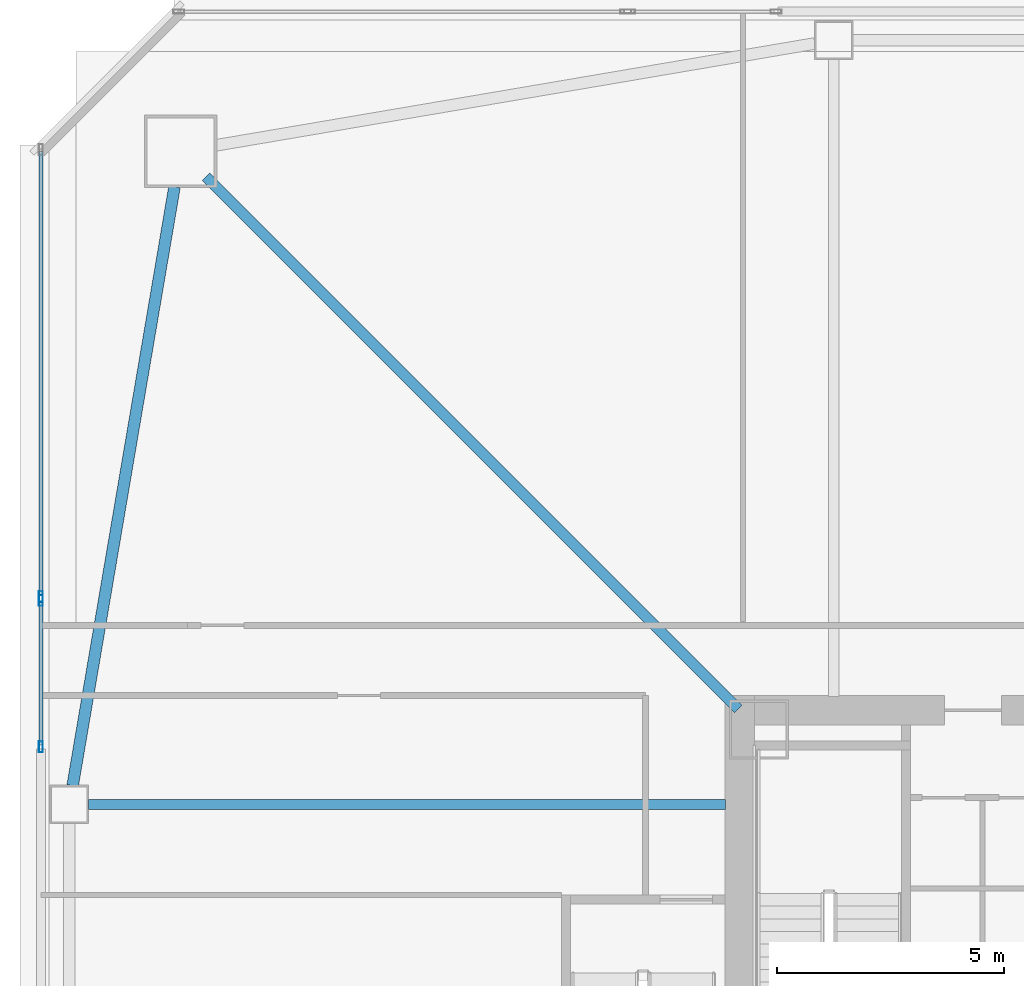
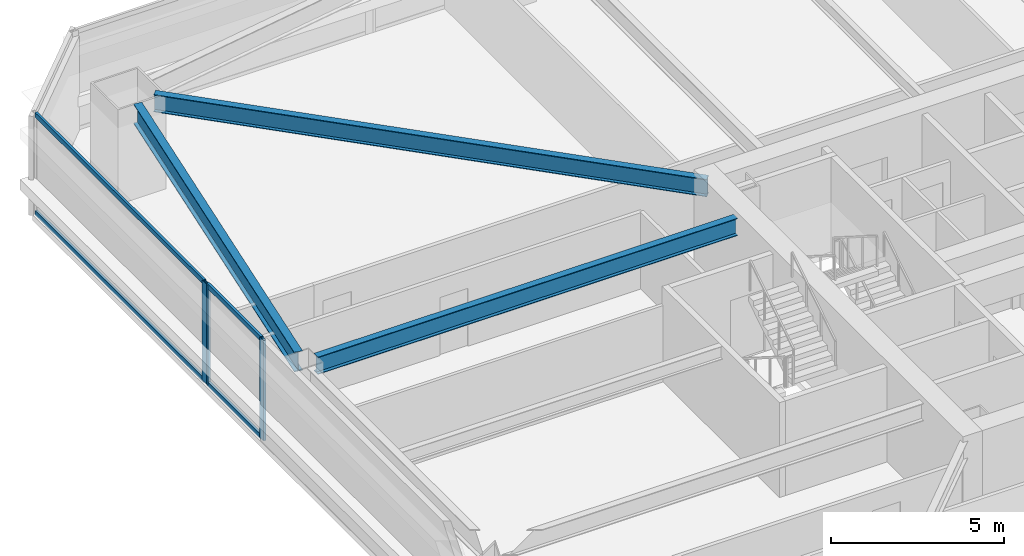
# One storey, part 12 of 46: 7 members, 3 beams, 2 elements without a shape of their own.
"""IFC4 building model written with IfcOpenShell, lengths in metres."""

from ifc_helpers import new_model, si_unit, direction, frame, origin, origin_2d, place, context, subcontext, project, spatial, hollow_rectangle, i_section, extrude, material, material_profile, profile_set, type_object, element, aggregate, save


model = new_model("IFC4")

# Units and contexts
model_context = context("Model", 3, precision=1e-05, world=origin(), true_north=direction((0.0, 1.0)))
body_context = subcontext(model_context, "Body", "Model", "MODEL_VIEW")
ifc_project = project(units=[si_unit("LENGTHUNIT", "METRE"), si_unit("AREAUNIT", "SQUARE_METRE"), si_unit("VOLUMEUNIT", "CUBIC_METRE"), si_unit("PLANEANGLEUNIT", "RADIAN"), si_unit("MASSUNIT", "GRAM", prefix="KILO")], contexts=[model_context])

# Site, building, storey
site_placement = place(None, origin())
site = spatial("IfcSite", under=ifc_project, at=site_placement, CompositionType="ELEMENT")
building_placement = place(site_placement, origin())
building = spatial("IfcBuilding", under=site, at=building_placement, Name="Tashvorn Skyway Center", CompositionType="ELEMENT")
storey_placement = place(building_placement, frame((0.0, 0.0, 31.699951171875)))
storey = spatial("IfcBuildingStorey", under=building, at=storey_placement, Name="L07", CompositionType="ELEMENT", Elevation=31.699951171875)

# Beams
ifc_material_1 = material(Name="Steel ASTM A992 Grade 50", Category="steel")
ifc_material_profile_1 = material_profile(ifc_material_1, i_section(OverallWidth=0.22998046875, OverallDepth=0.616943359375, WebThickness=0.01318359375, FlangeThickness=0.022216796875, at=origin_2d()), Name="W24X94")
ifc_profile_set_1 = profile_set([ifc_material_profile_1], Name="Steel ASTM A992 Grade 50")
beam_type_1 = type_object("IfcBeamType", Name="BM-BEAM-W24X94", PredefinedType="BEAM", material=ifc_profile_set_1)
beam_1_placement = place(storey_placement, frame((22.76220703125, 51.23779296875, 3.04150390625), z_axis=(0.707106781187, -0.707106781187, 0.0), x_axis=(0.707106781187, 0.707106781187, 0.0)))
element("IfcBeam", 1, at=beam_1_placement, inside=storey, type_object=beam_type_1, Name="Tower 1 L07 Primary Floor Girder MC-NW", PredefinedType="BEAM", context=body_context, shape_type="SweptSolid", body=[
    extrude(i_section(OverallWidth=0.22998046875, OverallDepth=0.616943359375, WebThickness=0.01318359375, FlangeThickness=0.022216796875, at=origin_2d()), origin(), (0.0, 0.0, 1.0), 16.591064453125),
])
beam_2_placement = place(storey_placement, frame((20.169921875, 37.39990234375, 3.04150390625), z_axis=(1.0, 0.0, 0.0), x_axis=(0.0, 1.0, 0.0)))
element("IfcBeam", 2, at=beam_2_placement, inside=storey, type_object=beam_type_1, Name="Tower 1 L07 Primary Floor Girder FC-W1", PredefinedType="BEAM", context=body_context, shape_type="SweptSolid", body=[
    extrude(i_section(OverallWidth=0.22998046875, OverallDepth=0.616943359375, WebThickness=0.01318359375, FlangeThickness=0.022216796875, at=origin_2d()), origin(), (0.0, 0.0, 1.0), 14.050048828125),
])
ifc_material_profile_2 = material_profile(ifc_material_1, i_section(OverallWidth=0.256103515625, OverallDepth=0.693115234375, WebThickness=0.014404296875, FlangeThickness=0.023681640625, at=origin_2d()), Name="W27X114")
ifc_profile_set_2 = profile_set([ifc_material_profile_2], Name="Steel ASTM A992 Grade 50")
beam_type_2 = type_object("IfcBeamType", Name="BM-SPANDREL-W27X114", PredefinedType="SPANDREL", material=ifc_profile_set_2)
beam_3_placement = place(storey_placement, frame((22.066650390625, 51.016357421875, 3.003662109375), z_axis=(-0.16771792509, -0.985835025551, 0.0), x_axis=(0.985835025551, -0.16771792509, 0.0)))
element("IfcBeam", 3, at=beam_3_placement, inside=storey, type_object=beam_type_2, Name="Tower 1 L07 Spandrel Beam 10", PredefinedType="SPANDREL", context=body_context, shape_type="SweptSolid", body=[
    extrude(i_section(OverallWidth=0.256103515625, OverallDepth=0.693115234375, WebThickness=0.014404296875, FlangeThickness=0.023681640625, at=origin_2d()), origin(), (0.0, 0.0, 1.0), 13.39208984375),
])

# Curtain wall, members
ifc_material_2 = material(Name="Thermally broken bronze-anodized aluminium 6063-T6", Category="aluminium")
curtain_wall_type = type_object("IfcCurtainWallType", Name="CW-CW-Z1", PredefinedType="NOTDEFINED", material=ifc_material_2)
curtain_wall_1_placement = place(storey_placement, origin())
curtain_wall_1 = element("IfcCurtainWall", 4, at=curtain_wall_1_placement, inside=storey, type_object=curtain_wall_type, Name="Tower 1 L07 West Unitised Curtain Wall Glazing Group 3", PredefinedType="NOTDEFINED")
ifc_material_profile_3 = material_profile(ifc_material_2, hollow_rectangle(XDim=0.0849609375, YDim=0.239990234375, WallThickness=0.0048828125, at=origin_2d()), Name="ALU-MULL-85x240")
ifc_profile_set_3 = profile_set([ifc_material_profile_3], Name="Thermally broken bronze-anodized aluminium 6063-T6")
member_type_1 = type_object("IfcMemberType", Name="CWM-CW-Z1", PredefinedType="MULLION", material=ifc_profile_set_3)
member_1_placement = place(storey_placement, frame((19.1201171875, 38.669189453125, 0.0), z_axis=(0.0, 0.0, 1.0), x_axis=(-1.0, 0.0, 0.0)))
member_1 = element("IfcMember", 5, at=member_1_placement, type_object=member_type_1, Name="CW-Z1 mullion 1", PredefinedType="MULLION", context=body_context, shape_type="SweptSolid", body=[
    extrude(hollow_rectangle(XDim=0.0849609375, YDim=0.239990234375, WallThickness=0.0048828125, at=origin_2d()), origin(), (0.0, 0.0, 1.0), 3.550048828125),
])
member_2_placement = place(storey_placement, frame((19.1201171875, 41.8974609375, 0.0), z_axis=(0.0, 0.0, 1.0), x_axis=(-1.0, 0.0, 0.0)))
member_2 = element("IfcMember", 6, at=member_2_placement, type_object=member_type_1, Name="CW-Z1 mullion 2", PredefinedType="MULLION", context=body_context, shape_type="SweptSolid", body=[
    extrude(hollow_rectangle(XDim=0.0849609375, YDim=0.239990234375, WallThickness=0.0048828125, at=origin_2d()), origin(), (0.0, 0.0, 1.0), 3.550048828125),
])

# Curtain wall, member
curtain_wall_2_placement = place(storey_placement, origin())
curtain_wall_2 = element("IfcCurtainWall", 7, at=curtain_wall_2_placement, inside=storey, type_object=curtain_wall_type, Name="Tower 1 L07 West Unitised Curtain Wall Glazing Group 4", PredefinedType="NOTDEFINED")
member_3_placement = place(storey_placement, frame((19.1201171875, 41.982421875, 0.0), z_axis=(0.0, 0.0, 1.0), x_axis=(-1.0, 0.0, 0.0)))
member_3 = element("IfcMember", 8, at=member_3_placement, type_object=member_type_1, Name="CW-Z1 mullion 1", PredefinedType="MULLION", context=body_context, shape_type="SweptSolid", body=[
    extrude(hollow_rectangle(XDim=0.0849609375, YDim=0.239990234375, WallThickness=0.0048828125, at=origin_2d()), origin(), (0.0, 0.0, 1.0), 3.550048828125),
])

# Member
ifc_material_profile_4 = material_profile(ifc_material_2, hollow_rectangle(XDim=0.0849609375, YDim=0.1650390625, WallThickness=0.0048828125, at=origin_2d()), Name="ALU-TRAN-85x165")
ifc_profile_set_4 = profile_set([ifc_material_profile_4], Name="Thermally broken bronze-anodized aluminium 6063-T6")
member_type_2 = type_object("IfcMemberType", Name="CWT-CW-Z1", PredefinedType="USERDEFINED", material=ifc_profile_set_4)
member_4_placement = place(storey_placement, frame((19.1201171875, 38.711669921875, 0.04248046875), z_axis=(0.0, 1.0, 0.0), x_axis=(-1.0, 0.0, 0.0)))
member_4 = element("IfcMember", 9, at=member_4_placement, type_object=member_type_2, Name="CW-Z1 transom 1.1", ObjectType="TRANSOM", PredefinedType="USERDEFINED", context=body_context, shape_type="SweptSolid", body=[
    extrude(hollow_rectangle(XDim=0.0849609375, YDim=0.1650390625, WallThickness=0.0048828125, at=origin_2d()), origin(), (0.0, 0.0, 1.0), 3.143310546875),
])

member_5_placement = place(storey_placement, frame((19.1201171875, 38.711669921875, 3.507568359375), z_axis=(0.0, 1.0, 0.0), x_axis=(-1.0, 0.0, 0.0)))
member_5 = element("IfcMember", 10, at=member_5_placement, type_object=member_type_2, Name="CW-Z1 transom 1.2", ObjectType="TRANSOM", PredefinedType="USERDEFINED", context=body_context, shape_type="SweptSolid", body=[
    extrude(hollow_rectangle(XDim=0.0849609375, YDim=0.1650390625, WallThickness=0.0048828125, at=origin_2d()), origin(), (0.0, 0.0, 1.0), 3.143310546875),
])

aggregate(curtain_wall_1, [member_1, member_2, member_4, member_5])

member_6_placement = place(storey_placement, frame((19.1201171875, 42.02490234375, 0.04248046875), z_axis=(0.0, 1.0, 0.0), x_axis=(-1.0, 0.0, 0.0)))
member_6 = element("IfcMember", 11, at=member_6_placement, type_object=member_type_2, Name="CW-Z1 transom 1.1", ObjectType="TRANSOM", PredefinedType="USERDEFINED", context=body_context, shape_type="SweptSolid", body=[
    extrude(hollow_rectangle(XDim=0.0849609375, YDim=0.1650390625, WallThickness=0.0048828125, at=origin_2d()), origin(), (0.0, 0.0, 1.0), 9.77001953125),
])

member_7_placement = place(storey_placement, frame((19.1201171875, 42.02490234375, 3.507568359375), z_axis=(0.0, 1.0, 0.0), x_axis=(-1.0, 0.0, 0.0)))
member_7 = element("IfcMember", 12, at=member_7_placement, type_object=member_type_2, Name="CW-Z1 transom 1.2", ObjectType="TRANSOM", PredefinedType="USERDEFINED", context=body_context, shape_type="SweptSolid", body=[
    extrude(hollow_rectangle(XDim=0.0849609375, YDim=0.1650390625, WallThickness=0.0048828125, at=origin_2d()), origin(), (0.0, 0.0, 1.0), 9.77001953125),
])

aggregate(curtain_wall_2, [member_3, member_6, member_7])

save(model, "model.ifc")
